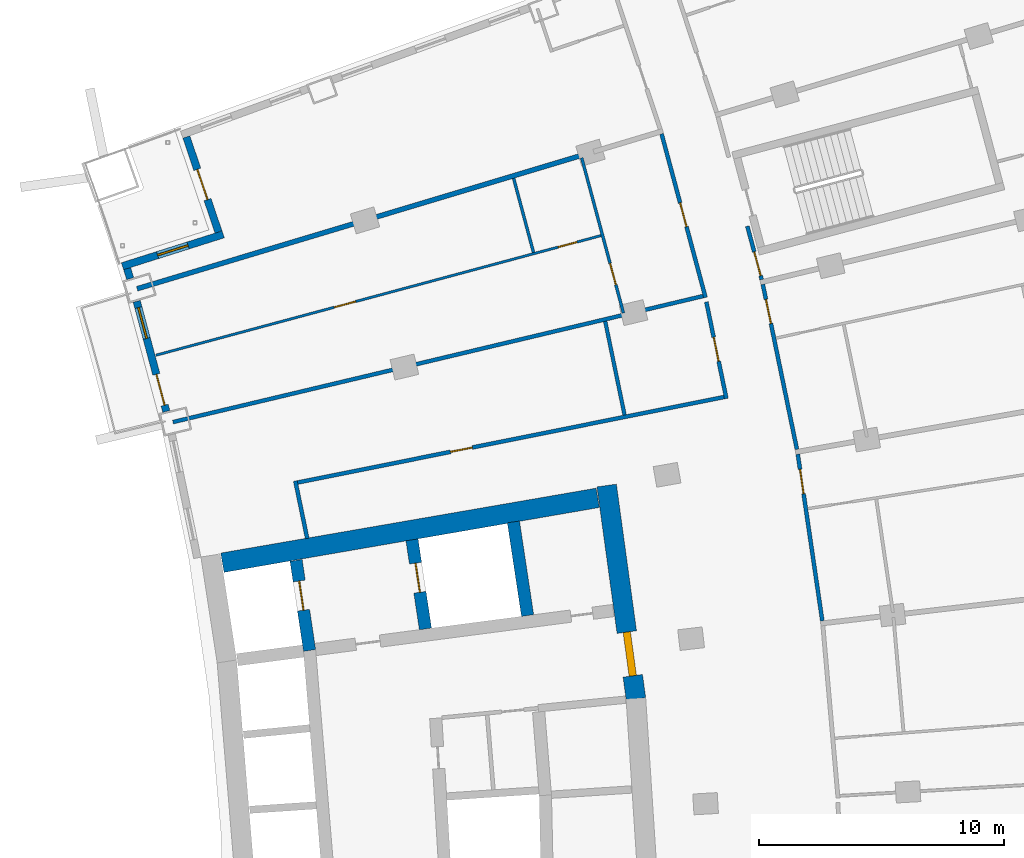
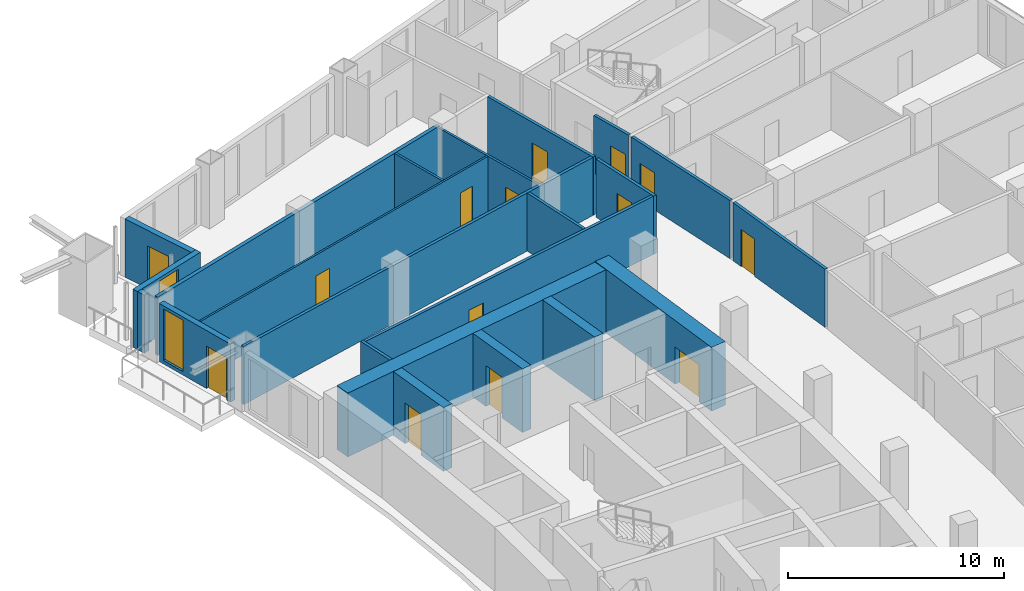
# One storey, part 19 of 25: 22 walls, 14 doors, 2 windows, 16 openings.
"""IFC4 building model written with IfcOpenShell, lengths in metres."""

from ifc_helpers import new_model, si_unit, direction, frame, frame_2d, origin, place, context, subcontext, project, spatial, rectangle, extrude, material, layer, layer_set, type_object, element, fill, save


model = new_model("IFC4")

# Units and contexts
model_context = context("Model", 3, precision=1e-05, world=origin(), true_north=direction((0.0, 1.0)))
body_context = subcontext(model_context, "Body", "Model", "MODEL_VIEW")
ifc_project = project(units=[si_unit("LENGTHUNIT", "METRE"), si_unit("AREAUNIT", "SQUARE_METRE"), si_unit("VOLUMEUNIT", "CUBIC_METRE"), si_unit("PLANEANGLEUNIT", "RADIAN"), si_unit("MASSUNIT", "GRAM", prefix="KILO")], contexts=[model_context])

# Site, building, storey
site_placement = place(None, origin())
site = spatial("IfcSite", under=ifc_project, at=site_placement, CompositionType="ELEMENT")
building_placement = place(site_placement, origin())
building = spatial("IfcBuilding", under=site, at=building_placement, Name="Alderwake Tower", CompositionType="ELEMENT")
storey_placement = place(building_placement, frame((0.0, 0.0, 122.0)))
storey = spatial("IfcBuildingStorey", under=building, at=storey_placement, Name="L30", CompositionType="ELEMENT", Elevation=122.0)

# Wall, opening, door
ifc_material_1 = material(Name="Concrete C70/85", Category="concrete")
ifc_layer_1 = layer(ifc_material_1, 0.800048828125)
ifc_layer_set_1 = layer_set([ifc_layer_1], Name="Core wall outer 800 C70-85")
wall_type_1 = type_object("IfcWallType", Name="Core wall outer 800 C70-85", PredefinedType="SHEAR", material=ifc_layer_set_1)
wall_1_placement = place(storey_placement, frame((31.569580078125, 80.7265625, 0.0), z_axis=(0.0, 0.0, 1.0), x_axis=(0.135838347444, -0.990731014637, 0.0)))
wall_1 = element("IfcWall", 1, at=wall_1_placement, inside=storey, type_object=wall_type_1, Name="Core wall CW.009", PredefinedType="SHEAR", context=body_context, shape_type="SweptSolid", body=[
    extrude(rectangle(XDim=8.788818359375, YDim=0.800048828125, at=frame_2d((4.39453125, 0.0))), origin(), (0.0, 0.0, 1.0), 3.60009765625),
])
opening_1_placement = place(wall_1_placement, frame((6.032958984375, 0.0, 0.0)))
opening_1 = element("IfcOpeningElement", 2, at=opening_1_placement, cuts=wall_1, Name="Opening C001", PredefinedType="OPENING", context=body_context, shape_type="SweptSolid", body=[
    extrude(rectangle(XDim=1.800048828125, YDim=2.10009765625, at=frame_2d((0.89990234375, 1.050048828125))), frame((0.0, 0.409912109375, 0.0), z_axis=(0.0, -1.0, 0.0), x_axis=(1.0, 0.0, 0.0)), (0.0, 0.0, 1.0), 0.820068359375),
])
ifc_material_2 = material(Name="Steel-framed fire door leaves", Category="steel")
door_type_1 = type_object("IfcDoorType", Name="Core double door 1800 fire-rated", OperationType="DOUBLE_DOOR_SINGLE_SWING", PredefinedType="DOOR", material=ifc_material_2)
door_1_placement = place(opening_1_placement, origin())
door_1 = element("IfcDoor", 3, at=door_1_placement, inside=storey, type_object=door_type_1, Name="Lobby double door", OperationType="DOUBLE_DOOR_SINGLE_SWING", OverallHeight=2.10009765625, OverallWidth=1.800048828125, PredefinedType="DOOR", context=body_context, shape_type="SweptSolid", body=[
    extrude(rectangle(XDim=1.800048828125, YDim=2.10009765625, at=frame_2d((0.89990234375, 1.050048828125))), frame((0.0, 0.14990234375, 0.0), z_axis=(0.0, -1.0, 0.0), x_axis=(1.0, 0.0, 0.0)), (0.0, 0.0, 1.0), 0.300048828125),
])
fill(opening_1, door_1)

# Wall
wall_2_placement = place(storey_placement, frame((15.900146484375, 77.577880859375, 0.0), z_axis=(0.0, 0.0, 1.0), x_axis=(0.985386601125, 0.170332751763, 0.0)))
element("IfcWall", 4, at=wall_2_placement, inside=storey, type_object=wall_type_1, Name="Core wall CW.054", PredefinedType="SHEAR", context=body_context, shape_type="SweptSolid", body=[
    extrude(rectangle(XDim=15.531494140625, YDim=0.800048828125, at=frame_2d((7.765625, 0.0))), origin(), (0.0, 0.0, 1.0), 3.60009765625),
])

# Wall, opening, door
ifc_material_3 = material(Name="Concrete C70/85", Category="concrete")
ifc_layer_2 = layer(ifc_material_3, 0.5)
ifc_layer_set_2 = layer_set([ifc_layer_2], Name="Core wall spine 500 C70-85")
wall_type_2 = type_object("IfcWallType", Name="Core wall spine 500 C70-85", PredefinedType="SHEAR", material=ifc_layer_set_2)
wall_3_placement = place(storey_placement, frame((19.4541015625, 73.9990234375, 0.0), z_axis=(0.0, 0.0, 1.0), x_axis=(-0.14792928808, 0.988997940204, 0.0)))
wall_3 = element("IfcWall", 5, at=wall_3_placement, inside=storey, type_object=wall_type_2, Name="Core wall CW.030", PredefinedType="SHEAR", context=body_context, shape_type="SweptSolid", body=[
    extrude(rectangle(XDim=3.716552734375, YDim=0.5, at=frame_2d((1.8583984375, 0.0))), origin(), (0.0, 0.0, 1.0), 3.60009765625),
])
opening_2_placement = place(wall_3_placement, frame((1.66259765625, 0.0, 0.0)))
opening_2 = element("IfcOpeningElement", 6, at=opening_2_placement, cuts=wall_3, Name="Opening LD-FF1", PredefinedType="OPENING", context=body_context, shape_type="SweptSolid", body=[
    extrude(rectangle(XDim=1.199951171875, YDim=2.300048828125, at=frame_2d((0.60009765625, 1.14990234375))), frame((0.0, 0.260009765625, 0.0), z_axis=(0.0, -1.0, 0.0), x_axis=(1.0, 0.0, 0.0)), (0.0, 0.0, 1.0), 0.52001953125),
])
ifc_material_4 = material(Name="Stainless steel sliding leaf", Category="steel")
door_type_2 = type_object("IfcDoorType", Name="Lift landing door 1200", OperationType="SLIDING_TO_LEFT", PredefinedType="DOOR", material=ifc_material_4)
door_2_placement = place(opening_2_placement, origin())
door_2 = element("IfcDoor", 7, at=door_2_placement, inside=storey, type_object=door_type_2, Name="Lift landing door FF1", OperationType="SLIDING_TO_LEFT", OverallHeight=2.300048828125, OverallWidth=1.199951171875, PredefinedType="DOOR", context=body_context, shape_type="SweptSolid", body=[
    extrude(rectangle(XDim=1.199951171875, YDim=2.300048828125, at=frame_2d((0.60009765625, 1.14990234375))), frame((0.0, 0.02490234375, 0.0), z_axis=(0.0, -1.0, 0.0), x_axis=(1.0, 0.0, 0.0)), (0.0, 0.0, 1.0), 0.050048828125),
])
fill(opening_2, door_2)

wall_4_placement = place(storey_placement, frame((24.1796875, 74.878173828125, 0.0), z_axis=(0.0, 0.0, 1.0), x_axis=(-0.149334835296, 0.988786684259, 0.0)))
wall_4 = element("IfcWall", 8, at=wall_4_placement, inside=storey, type_object=wall_type_2, Name="Core wall CW.044", PredefinedType="SHEAR", context=body_context, shape_type="SweptSolid", body=[
    extrude(rectangle(XDim=3.673583984375, YDim=0.5, at=frame_2d((1.8369140625, 0.0))), origin(), (0.0, 0.0, 1.0), 3.60009765625),
])
opening_3_placement = place(wall_4_placement, frame((1.51171875, 0.0, 0.0)))
opening_3 = element("IfcOpeningElement", 9, at=opening_3_placement, cuts=wall_4, Name="Opening LD-FF2", PredefinedType="OPENING", context=body_context, shape_type="SweptSolid", body=[
    extrude(rectangle(XDim=1.199951171875, YDim=2.300048828125, at=frame_2d((0.60009765625, 1.14990234375))), frame((0.0, 0.260009765625, 0.0), z_axis=(0.0, -1.0, 0.0), x_axis=(1.0, 0.0, 0.0)), (0.0, 0.0, 1.0), 0.52001953125),
])
door_3_placement = place(opening_3_placement, origin())
door_3 = element("IfcDoor", 10, at=door_3_placement, inside=storey, type_object=door_type_2, Name="Lift landing door FF2", OperationType="SLIDING_TO_LEFT", OverallHeight=2.300048828125, OverallWidth=1.199951171875, PredefinedType="DOOR", context=body_context, shape_type="SweptSolid", body=[
    extrude(rectangle(XDim=1.199951171875, YDim=2.300048828125, at=frame_2d((0.60009765625, 1.14990234375))), frame((0.0, 0.02490234375, 0.0), z_axis=(0.0, -1.0, 0.0), x_axis=(1.0, 0.0, 0.0)), (0.0, 0.0, 1.0), 0.050048828125),
])
fill(opening_3, door_3)

# Walls
wall_5_placement = place(storey_placement, frame((28.34423828125, 75.4228515625, 0.0), z_axis=(0.0, 0.0, 1.0), x_axis=(-0.14943460482, 0.988771611082, 0.0)))
element("IfcWall", 11, at=wall_5_placement, inside=storey, type_object=wall_type_2, Name="Core wall CW.001", PredefinedType="SHEAR", context=body_context, shape_type="SweptSolid", body=[
    extrude(rectangle(XDim=3.8623046875, YDim=0.5, at=frame_2d((1.93115234375, 0.0))), origin(), (0.0, 0.0, 1.0), 3.60009765625),
])
ifc_material_5 = material(Name="Gypsum board on metal studs, rated")
ifc_layer_3 = layer(ifc_material_5, 0.159912109375)
ifc_layer_set_3 = layer_set([ifc_layer_3], Name="Corridor wall 160")
wall_type_3 = type_object("IfcWallType", Name="Corridor wall 160", PredefinedType="PARTITIONING", material=ifc_layer_set_3)
wall_6_placement = place(storey_placement, frame((18.874755859375, 80.910400390625, 0.0), z_axis=(0.0, 0.0, 1.0), x_axis=(0.202312089075, -0.979321100873, 0.0)))
element("IfcWall", 12, at=wall_6_placement, inside=storey, type_object=wall_type_3, Name="WL/L30/W18", PredefinedType="PARTITIONING", context=body_context, shape_type="SweptSolid", body=[
    extrude(rectangle(XDim=2.39306640625, YDim=0.159912109375, at=frame_2d((1.196533203125, 0.0))), origin(), (0.0, 0.0, 1.0), 3.280029296875),
])

# Wall, opening, door
wall_7_placement = place(storey_placement, frame((35.600830078125, 88.392578125, 0.0), z_axis=(0.0, 0.0, 1.0), x_axis=(-0.2593979597, 0.965770520622, 0.0)))
wall_7 = element("IfcWall", 13, at=wall_7_placement, inside=storey, type_object=wall_type_3, Name="WL/L30/W22", PredefinedType="PARTITIONING", context=body_context, shape_type="SweptSolid", body=[
    extrude(rectangle(XDim=6.9072265625, YDim=0.159912109375, at=frame_2d((3.45361328125, 0.0))), origin(), (0.0, 0.0, 1.0), 3.280029296875),
])
opening_4_placement = place(wall_7_placement, frame((2.9931640625, 0.0, 0.0)))
opening_4 = element("IfcOpeningElement", 14, at=opening_4_placement, cuts=wall_7, Name="Opening R08-U13.1", PredefinedType="OPENING", context=body_context, shape_type="SweptSolid", body=[
    extrude(rectangle(XDim=1.0, YDim=2.10009765625, at=frame_2d((0.5, 1.050048828125))), frame((0.0, 0.08984375, 0.0), z_axis=(0.0, -1.0, 0.0), x_axis=(1.0, 0.0, 0.0)), (0.0, 0.0, 1.0), 0.179931640625),
])
ifc_material_6 = material(Name="Solid timber leaf in steel frame", Category="steel")
door_type_3 = type_object("IfcDoorType", Name="Flat entrance door 1000 fire-rated", OperationType="SINGLE_SWING_LEFT", PredefinedType="DOOR", material=ifc_material_6)
door_4_placement = place(opening_4_placement, origin())
door_4 = element("IfcDoor", 15, at=door_4_placement, inside=storey, type_object=door_type_3, Name="DR/L30/U13.1", OperationType="SINGLE_SWING_LEFT", OverallHeight=2.10009765625, OverallWidth=1.0, PredefinedType="DOOR", context=body_context, shape_type="SweptSolid", body=[
    extrude(rectangle(XDim=1.0, YDim=2.10009765625, at=frame_2d((0.5, 1.050048828125))), frame((0.0, 0.02490234375, 0.0), z_axis=(0.0, -1.0, 0.0), x_axis=(1.0, 0.0, 0.0)), (0.0, 0.0, 1.0), 0.050048828125),
])
fill(opening_4, door_4)

# Wall
wall_8_placement = place(storey_placement, frame((35.502197265625, 88.451416015625, 0.0), z_axis=(0.0, 0.0, 1.0), x_axis=(-0.972894913244, -0.231247676278, 0.0)))
element("IfcWall", 16, at=wall_8_placement, inside=storey, type_object=wall_type_3, Name="WL/L30/W25", PredefinedType="PARTITIONING", context=body_context, shape_type="SweptSolid", body=[
    extrude(rectangle(XDim=22.220458984375, YDim=0.159912109375, at=frame_2d((11.1103515625, 0.0))), origin(), (0.0, 0.0, 1.0), 3.280029296875),
])

# Wall, opening, door
wall_9_placement = place(storey_placement, frame((36.451416015625, 84.272705078125, 0.0), z_axis=(0.0, 0.0, 1.0), x_axis=(-0.203258199701, 0.979125172924, 0.0)))
wall_9 = element("IfcWall", 17, at=wall_9_placement, inside=storey, type_object=wall_type_3, Name="WL/L30/W26", PredefinedType="PARTITIONING", context=body_context, shape_type="SweptSolid", body=[
    extrude(rectangle(XDim=4.020263671875, YDim=0.159912109375, at=frame_2d((2.01025390625, 0.0))), origin(), (0.0, 0.0, 1.0), 3.280029296875),
])
opening_5_placement = place(wall_9_placement, frame((1.549560546875, 0.0, 0.0)))
opening_5 = element("IfcOpeningElement", 18, at=opening_5_placement, cuts=wall_9, Name="Opening R08-SBN2", PredefinedType="OPENING", context=body_context, shape_type="SweptSolid", body=[
    extrude(rectangle(XDim=1.0, YDim=2.10009765625, at=frame_2d((0.5, 1.050048828125))), frame((0.0, 0.08984375, 0.0), z_axis=(0.0, -1.0, 0.0), x_axis=(1.0, 0.0, 0.0)), (0.0, 0.0, 1.0), 0.179931640625),
])
ifc_material_7 = material(Name="Steel-framed fire door leaf", Category="steel")
door_type_4 = type_object("IfcDoorType", Name="Plant room door 1000 fire-rated", OperationType="SINGLE_SWING_LEFT", PredefinedType="DOOR", material=ifc_material_7)
door_5_placement = place(opening_5_placement, origin())
door_5 = element("IfcDoor", 19, at=door_5_placement, inside=storey, type_object=door_type_4, Name="DR/L30/SBN2", OperationType="SINGLE_SWING_LEFT", OverallHeight=2.10009765625, OverallWidth=1.0, PredefinedType="DOOR", context=body_context, shape_type="SweptSolid", body=[
    extrude(rectangle(XDim=1.0, YDim=2.10009765625, at=frame_2d((0.5, 1.050048828125))), frame((0.0, 0.02490234375, 0.0), z_axis=(0.0, -1.0, 0.0), x_axis=(1.0, 0.0, 0.0)), (0.0, 0.0, 1.0), 0.050048828125),
])
fill(opening_5, door_5)

wall_10_placement = place(storey_placement, frame((18.969482421875, 80.84765625, 0.0), z_axis=(0.0, 0.0, 1.0), x_axis=(0.980470914622, 0.196664144112, 0.0)))
wall_10 = element("IfcWall", 20, at=wall_10_placement, inside=storey, type_object=wall_type_3, Name="WL/L30/W30", PredefinedType="PARTITIONING", context=body_context, shape_type="SweptSolid", body=[
    extrude(rectangle(XDim=17.733642578125, YDim=0.159912109375, at=frame_2d((8.86669921875, 0.0))), origin(), (0.0, 0.0, 1.0), 3.280029296875),
])
opening_6_placement = place(wall_10_placement, frame((6.35693359375, 0.0, 0.0)))
opening_6 = element("IfcOpeningElement", 21, at=opening_6_placement, cuts=wall_10, Name="Opening R08-SBN1", PredefinedType="OPENING", context=body_context, shape_type="SweptSolid", body=[
    extrude(rectangle(XDim=0.89990234375, YDim=2.10009765625, at=frame_2d((0.449951171875, 1.050048828125))), frame((0.0, 0.08984375, 0.0), z_axis=(0.0, -1.0, 0.0), x_axis=(1.0, 0.0, 0.0)), (0.0, 0.0, 1.0), 0.179931640625),
])
ifc_material_8 = material(Name="Painted timber leaf", Category="wood")
door_type_5 = type_object("IfcDoorType", Name="Room door 900", OperationType="SINGLE_SWING_LEFT", PredefinedType="DOOR", material=ifc_material_8)
door_6_placement = place(opening_6_placement, origin())
door_6 = element("IfcDoor", 22, at=door_6_placement, inside=storey, type_object=door_type_5, Name="DR/L30/SBN1", OperationType="SINGLE_SWING_LEFT", OverallHeight=2.10009765625, OverallWidth=0.89990234375, PredefinedType="DOOR", context=body_context, shape_type="SweptSolid", body=[
    extrude(rectangle(XDim=0.89990234375, YDim=2.10009765625, at=frame_2d((0.449951171875, 1.050048828125))), frame((0.0, 0.02490234375, 0.0), z_axis=(0.0, -1.0, 0.0), x_axis=(1.0, 0.0, 0.0)), (0.0, 0.0, 1.0), 0.050048828125),
])
fill(opening_6, door_6)

wall_11_placement = place(storey_placement, frame((37.304931640625, 91.299072265625, 0.0), z_axis=(0.0, 0.0, 1.0), x_axis=(0.259946294884, -0.965623075416, 0.0)))
wall_11 = element("IfcWall", 23, at=wall_11_placement, inside=storey, type_object=wall_type_3, Name="WL/L30/W34", PredefinedType="PARTITIONING", context=body_context, shape_type="SweptSolid", body=[
    extrude(rectangle(XDim=2.255126953125, YDim=0.159912109375, at=frame_2d((1.12744140625, 0.0))), origin(), (0.0, 0.0, 1.0), 3.280029296875),
])
opening_7_placement = place(wall_11_placement, frame((1.083984375, 0.0, 0.0)))
opening_7 = element("IfcOpeningElement", 24, at=opening_7_placement, cuts=wall_11, Name="Opening R08-U02.1", PredefinedType="OPENING", context=body_context, shape_type="SweptSolid", body=[
    extrude(rectangle(XDim=1.0, YDim=2.10009765625, at=frame_2d((0.5, 1.050048828125))), frame((0.0, 0.08984375, 0.0), z_axis=(0.0, -1.0, 0.0), x_axis=(1.0, 0.0, 0.0)), (0.0, 0.0, 1.0), 0.179931640625),
])
door_7_placement = place(opening_7_placement, origin())
door_7 = element("IfcDoor", 25, at=door_7_placement, inside=storey, type_object=door_type_3, Name="DR/L30/U02.1", OperationType="SINGLE_SWING_LEFT", OverallHeight=2.10009765625, OverallWidth=1.0, PredefinedType="DOOR", context=body_context, shape_type="SweptSolid", body=[
    extrude(rectangle(XDim=1.0, YDim=2.10009765625, at=frame_2d((0.5, 1.050048828125))), frame((0.0, 0.02490234375, 0.0), z_axis=(0.0, -1.0, 0.0), x_axis=(1.0, 0.0, 0.0)), (0.0, 0.0, 1.0), 0.050048828125),
])
fill(opening_7, door_7)

wall_12_placement = place(storey_placement, frame((37.937255859375, 88.927001953125, 0.0), z_axis=(0.0, 0.0, 1.0), x_axis=(0.20241288737, -0.979300272147, 0.0)))
wall_12 = element("IfcWall", 26, at=wall_12_placement, inside=storey, type_object=wall_type_3, Name="WL/L30/W36", PredefinedType="PARTITIONING", context=body_context, shape_type="SweptSolid", body=[
    extrude(rectangle(XDim=6.870361328125, YDim=0.159912109375, at=frame_2d((3.43505859375, 0.0))), origin(), (0.0, 0.0, 1.0), 3.280029296875),
])
opening_8_placement = place(wall_12_placement, frame((0.62841796875, 0.0, 0.0)))
opening_8 = element("IfcOpeningElement", 27, at=opening_8_placement, cuts=wall_12, Name="Opening R08-U10.2", PredefinedType="OPENING", context=body_context, shape_type="SweptSolid", body=[
    extrude(rectangle(XDim=1.0, YDim=2.10009765625, at=frame_2d((0.5, 1.050048828125))), frame((0.0, 0.08984375, 0.0), z_axis=(0.0, -1.0, 0.0), x_axis=(1.0, 0.0, 0.0)), (0.0, 0.0, 1.0), 0.179931640625),
])
door_8_placement = place(opening_8_placement, origin())
door_8 = element("IfcDoor", 28, at=door_8_placement, inside=storey, type_object=door_type_3, Name="DR/L30/U10.2", OperationType="SINGLE_SWING_LEFT", OverallHeight=2.10009765625, OverallWidth=1.0, PredefinedType="DOOR", context=body_context, shape_type="SweptSolid", body=[
    extrude(rectangle(XDim=1.0, YDim=2.10009765625, at=frame_2d((0.5, 1.050048828125))), frame((0.0, 0.02490234375, 0.0), z_axis=(0.0, -1.0, 0.0), x_axis=(1.0, 0.0, 0.0)), (0.0, 0.0, 1.0), 0.050048828125),
])
fill(opening_8, door_8)

wall_13_placement = place(storey_placement, frame((39.362548828125, 82.001953125, 0.0), z_axis=(0.0, 0.0, 1.0), x_axis=(0.145565626222, -0.98934859805, 0.0)))
wall_13 = element("IfcWall", 29, at=wall_13_placement, inside=storey, type_object=wall_type_3, Name="WL/L30/W38", PredefinedType="PARTITIONING", context=body_context, shape_type="SweptSolid", body=[
    extrude(rectangle(XDim=6.8681640625, YDim=0.159912109375, at=frame_2d((3.43408203125, 0.0))), origin(), (0.0, 0.0, 1.0), 3.280029296875),
])
opening_9_placement = place(wall_13_placement, frame((0.627685546875, 0.0, 0.0)))
opening_9 = element("IfcOpeningElement", 30, at=opening_9_placement, cuts=wall_13, Name="Opening R08-U09.2", PredefinedType="OPENING", context=body_context, shape_type="SweptSolid", body=[
    extrude(rectangle(XDim=1.0, YDim=2.10009765625, at=frame_2d((0.5, 1.050048828125))), frame((0.0, 0.08984375, 0.0), z_axis=(0.0, -1.0, 0.0), x_axis=(1.0, 0.0, 0.0)), (0.0, 0.0, 1.0), 0.179931640625),
])
door_9_placement = place(opening_9_placement, origin())
door_9 = element("IfcDoor", 31, at=door_9_placement, inside=storey, type_object=door_type_3, Name="DR/L30/U09.2", OperationType="SINGLE_SWING_LEFT", OverallHeight=2.10009765625, OverallWidth=1.0, PredefinedType="DOOR", context=body_context, shape_type="SweptSolid", body=[
    extrude(rectangle(XDim=1.0, YDim=2.10009765625, at=frame_2d((0.5, 1.050048828125))), frame((0.0, 0.02490234375, 0.0), z_axis=(0.0, -1.0, 0.0), x_axis=(1.0, 0.0, 0.0)), (0.0, 0.0, 1.0), 0.050048828125),
])
fill(opening_9, door_9)

# Wall
ifc_material_9 = material(Name="Precast concrete C50/60 spandrel panel", Category="concrete")
ifc_layer_4 = layer(ifc_material_9, 0.300048828125)
ifc_layer_set_4 = layer_set([ifc_layer_4], Name="External wall EW1 Precast concrete C50/60 spandrel")
wall_type_4 = type_object("IfcWallType", Name="External wall EW1 Precast concrete C50/60 spandrel", PredefinedType="SOLIDWALL", material=ifc_layer_set_4)
wall_14_placement = place(storey_placement, frame((12.01416015625, 89.5703125, 0.0), z_axis=(0.0, 0.0, 1.0), x_axis=(0.294567190983, -0.955630770746, 0.0)))
element("IfcWall", 32, at=wall_14_placement, inside=storey, type_object=wall_type_4, Name="External wall 32", PredefinedType="SOLIDWALL", context=body_context, shape_type="SweptSolid", body=[
    extrude(rectangle(XDim=0.427734375, YDim=0.300048828125, at=frame_2d((0.2138671875, 0.0))), origin(), (0.0, 0.0, 1.0), 3.280029296875),
])

# Wall, openings, door, window
wall_15_placement = place(storey_placement, frame((12.406494140625, 88.237548828125, 0.0), z_axis=(0.0, 0.0, 1.0), x_axis=(0.259468933642, -0.965751454814, 0.0)))
wall_15 = element("IfcWall", 33, at=wall_15_placement, inside=storey, type_object=wall_type_4, Name="External wall 33", PredefinedType="SOLIDWALL", context=body_context, shape_type="SweptSolid", body=[
    extrude(rectangle(XDim=4.65087890625, YDim=0.300048828125, at=frame_2d((2.325439453125, 0.0))), origin(), (0.0, 0.0, 1.0), 3.280029296875),
])
opening_10_placement = place(wall_15_placement, frame((0.26708984375, 0.0, 0.199951171875)))
opening_10 = element("IfcOpeningElement", 34, at=opening_10_placement, cuts=wall_15, Name="Opening W1", PredefinedType="OPENING", context=body_context, shape_type="SweptSolid", body=[
    extrude(rectangle(XDim=1.300048828125, YDim=2.89990234375, at=frame_2d((0.64990234375, 1.449951171875))), frame((0.0, 0.159912109375, 0.0), z_axis=(0.0, -1.0, 0.0), x_axis=(1.0, 0.0, 0.0)), (0.0, 0.0, 1.0), 0.320068359375),
])
opening_11_placement = place(wall_15_placement, frame((3.083984375, 0.0, 0.0)))
opening_11 = element("IfcOpeningElement", 35, at=opening_11_placement, cuts=wall_15, Name="Opening D15", PredefinedType="OPENING", context=body_context, shape_type="SweptSolid", body=[
    extrude(rectangle(XDim=1.300048828125, YDim=2.39990234375, at=frame_2d((0.64990234375, 1.199951171875))), frame((0.0, 0.159912109375, 0.0), z_axis=(0.0, -1.0, 0.0), x_axis=(1.0, 0.0, 0.0)), (0.0, 0.0, 1.0), 0.320068359375),
])
ifc_material_10 = material(Name="Bronze tinted glass in aluminium frame", Category="aluminium")
door_type_6 = type_object("IfcDoorType", Name="Balcony door BD sliding", OperationType="SLIDING_TO_LEFT", PredefinedType="DOOR", material=ifc_material_10)
door_10_placement = place(opening_11_placement, origin())
door_10 = element("IfcDoor", 36, at=door_10_placement, inside=storey, type_object=door_type_6, Name="Door D15", OperationType="SLIDING_TO_LEFT", OverallHeight=2.39990234375, OverallWidth=1.300048828125, PredefinedType="DOOR", context=body_context, shape_type="SweptSolid", body=[
    extrude(rectangle(XDim=1.300048828125, YDim=2.39990234375, at=frame_2d((0.64990234375, 1.199951171875))), frame((0.0, 0.02490234375, 0.0), z_axis=(0.0, -1.0, 0.0), x_axis=(1.0, 0.0, 0.0)), (0.0, 0.0, 1.0), 0.050048828125),
])
fill(opening_11, door_10)
ifc_material_11 = material(Name="Bronze tinted glass in aluminium frame", Category="aluminium")
window_type = type_object("IfcWindowType", Name="Window W1 tall fixed and vent", PartitioningType="DOUBLE_PANEL_VERTICAL", PredefinedType="WINDOW", material=ifc_material_11)
window_1_placement = place(opening_10_placement, origin())
window_1 = element("IfcWindow", 37, at=window_1_placement, inside=storey, type_object=window_type, Name="Window W1 tall fixed and vent", OverallHeight=2.89990234375, OverallWidth=1.300048828125, PartitioningType="DOUBLE_PANEL_VERTICAL", PredefinedType="WINDOW", context=body_context, shape_type="SweptSolid", body=[
    extrude(rectangle(XDim=1.300048828125, YDim=2.89990234375, at=frame_2d((0.64990234375, 1.449951171875))), frame((0.0, 0.030029296875, 0.0), z_axis=(0.0, -1.0, 0.0), x_axis=(1.0, 0.0, 0.0)), (0.0, 0.0, 1.0), 0.06005859375),
])
fill(opening_10, window_1)

# Wall, opening, door
ifc_material_12 = material(Name="Bronze metal cladding on lightweight framing")
ifc_layer_5 = layer(ifc_material_12, 0.300048828125)
ifc_layer_set_5 = layer_set([ifc_layer_5], Name="External wall EW2 bronze metal cladding")
wall_type_5 = type_object("IfcWallType", Name="External wall EW2 bronze metal cladding", PredefinedType="SOLIDWALL", material=ifc_layer_set_5)
wall_16_placement = place(storey_placement, frame((14.430908203125, 94.937744140625, 0.0), z_axis=(0.0, 0.0, 1.0), x_axis=(0.320379458656, -0.947289291859, 0.0)))
wall_16 = element("IfcWall", 38, at=wall_16_placement, inside=storey, type_object=wall_type_5, Name="External wall 30", PredefinedType="SOLIDWALL", context=body_context, shape_type="SweptSolid", body=[
    extrude(rectangle(XDim=4.08984375, YDim=0.300048828125, at=frame_2d((2.044921875, 0.0))), origin(), (0.0, 0.0, 1.0), 3.280029296875),
])
opening_12_placement = place(wall_16_placement, frame((1.39501953125, 0.0, 0.0)))
opening_12 = element("IfcOpeningElement", 39, at=opening_12_placement, cuts=wall_16, Name="Opening D14", PredefinedType="OPENING", context=body_context, shape_type="SweptSolid", body=[
    extrude(rectangle(XDim=1.300048828125, YDim=2.39990234375, at=frame_2d((0.64990234375, 1.199951171875))), frame((0.0, 0.159912109375, 0.0), z_axis=(0.0, -1.0, 0.0), x_axis=(1.0, 0.0, 0.0)), (0.0, 0.0, 1.0), 0.320068359375),
])
door_11_placement = place(opening_12_placement, origin())
door_11 = element("IfcDoor", 40, at=door_11_placement, inside=storey, type_object=door_type_6, Name="Door D14", OperationType="SLIDING_TO_LEFT", OverallHeight=2.39990234375, OverallWidth=1.300048828125, PredefinedType="DOOR", context=body_context, shape_type="SweptSolid", body=[
    extrude(rectangle(XDim=1.300048828125, YDim=2.39990234375, at=frame_2d((0.64990234375, 1.199951171875))), frame((0.0, 0.02490234375, 0.0), z_axis=(0.0, -1.0, 0.0), x_axis=(1.0, 0.0, 0.0)), (0.0, 0.0, 1.0), 0.050048828125),
])
fill(opening_12, door_11)

# Wall, opening, window
wall_17_placement = place(storey_placement, frame((15.932373046875, 90.966552734375, 0.0), z_axis=(0.0, 0.0, 1.0), x_axis=(-0.953473772386, -0.301475978103, 0.0)))
wall_17 = element("IfcWall", 41, at=wall_17_placement, inside=storey, type_object=wall_type_5, Name="External wall 31", PredefinedType="SOLIDWALL", context=body_context, shape_type="SweptSolid", body=[
    extrude(rectangle(XDim=4.305908203125, YDim=0.300048828125, at=frame_2d((2.15283203125, 0.0))), origin(), (0.0, 0.0, 1.0), 3.280029296875),
])
opening_13_placement = place(wall_17_placement, frame((1.5029296875, 0.0, 0.199951171875)))
opening_13 = element("IfcOpeningElement", 42, at=opening_13_placement, cuts=wall_17, Name="Opening W1", PredefinedType="OPENING", context=body_context, shape_type="SweptSolid", body=[
    extrude(rectangle(XDim=1.300048828125, YDim=2.89990234375, at=frame_2d((0.64990234375, 1.449951171875))), frame((0.0, 0.159912109375, 0.0), z_axis=(0.0, -1.0, 0.0), x_axis=(1.0, 0.0, 0.0)), (0.0, 0.0, 1.0), 0.320068359375),
])
window_2_placement = place(opening_13_placement, origin())
window_2 = element("IfcWindow", 43, at=window_2_placement, inside=storey, type_object=window_type, Name="Window W1 tall fixed and vent", OverallHeight=2.89990234375, OverallWidth=1.300048828125, PartitioningType="DOUBLE_PANEL_VERTICAL", PredefinedType="WINDOW", context=body_context, shape_type="SweptSolid", body=[
    extrude(rectangle(XDim=1.300048828125, YDim=2.89990234375, at=frame_2d((0.64990234375, 1.449951171875))), frame((0.0, 0.030029296875, 0.0), z_axis=(0.0, -1.0, 0.0), x_axis=(1.0, 0.0, 0.0)), (0.0, 0.0, 1.0), 0.06005859375),
])
fill(opening_13, window_2)

# Walls
ifc_material_13 = material(Name="Dense block masonry wall", Category="masonry")
ifc_layer_6 = layer(ifc_material_13, 0.199951171875)
ifc_layer_set_6 = layer_set([ifc_layer_6], Name="Party wall 200")
wall_type_6 = type_object("IfcWallType", Name="Party wall 200", PredefinedType="SOLIDWALL", material=ifc_layer_set_6)
wall_18_placement = place(storey_placement, frame((12.423095703125, 88.7490234375, 0.0), z_axis=(0.0, 0.0, 1.0), x_axis=(0.957792326985, 0.287461055394, 0.0)))
element("IfcWall", 44, at=wall_18_placement, inside=storey, type_object=wall_type_6, Name="WL/L30/W01", PredefinedType="SOLIDWALL", context=body_context, shape_type="SweptSolid", body=[
    extrude(rectangle(XDim=18.999755859375, YDim=0.199951171875, at=frame_2d((9.5, 0.0))), origin(), (0.0, 0.0, 1.0), 3.280029296875),
])
ifc_material_14 = material(Name="Gypsum shaft wall system, rated")
ifc_layer_7 = layer(ifc_material_14, 0.14990234375)
ifc_layer_set_7 = layer_set([ifc_layer_7], Name="Riser and shaft wall 150")
wall_type_7 = type_object("IfcWallType", Name="Riser and shaft wall 150", PredefinedType="PARTITIONING", material=ifc_layer_set_7)
wall_19_placement = place(storey_placement, frame((32.2998046875, 83.601318359375, 0.0), z_axis=(0.0, 0.0, 1.0), x_axis=(-0.202493797034, 0.979283545334, 0.0)))
element("IfcWall", 45, at=wall_19_placement, inside=storey, type_object=wall_type_7, Name="WL/L30/W15", PredefinedType="PARTITIONING", context=body_context, shape_type="SweptSolid", body=[
    extrude(rectangle(XDim=3.899169921875, YDim=0.14990234375, at=frame_2d((1.94970703125, 0.0))), origin(), (0.0, 0.0, 1.0), 3.280029296875),
])

# Wall, openings, doors
ifc_material_15 = material(Name="Gypsum board on metal studs")
ifc_layer_8 = layer(ifc_material_15, 0.10009765625)
ifc_layer_set_8 = layer_set([ifc_layer_8], Name="Unit partition 100")
wall_type_8 = type_object("IfcWallType", Name="Unit partition 100", PredefinedType="PARTITIONING", material=ifc_layer_set_8)
wall_20_placement = place(storey_placement, frame((13.194091796875, 86.0400390625, 0.0), z_axis=(0.0, 0.0, 1.0), x_axis=(0.965722811098, 0.259575522968, 0.0)))
wall_20 = element("IfcWall", 46, at=wall_20_placement, inside=storey, type_object=wall_type_8, Name="WL/L30/W66", PredefinedType="PARTITIONING", context=body_context, shape_type="SweptSolid", body=[
    extrude(rectangle(XDim=18.7900390625, YDim=0.10009765625, at=frame_2d((9.39501953125, 0.0))), origin(), (0.0, 0.0, 1.0), 3.280029296875),
])
opening_14_placement = place(wall_20_placement, frame((16.971435546875, 0.0, 0.0)))
opening_14 = element("IfcOpeningElement", 47, at=opening_14_placement, cuts=wall_20, Name="Opening R08-U13.3", PredefinedType="OPENING", context=body_context, shape_type="SweptSolid", body=[
    extrude(rectangle(XDim=0.800048828125, YDim=2.10009765625, at=frame_2d((0.39990234375, 1.050048828125))), frame((0.0, 0.06005859375, 0.0), z_axis=(0.0, -1.0, 0.0), x_axis=(1.0, 0.0, 0.0)), (0.0, 0.0, 1.0), 0.1201171875),
])
opening_15_placement = place(wall_20_placement, frame((7.526611328125, 0.0, 0.0)))
opening_15 = element("IfcOpeningElement", 48, at=opening_15_placement, cuts=wall_20, Name="Opening R08-U13.4", PredefinedType="OPENING", context=body_context, shape_type="SweptSolid", body=[
    extrude(rectangle(XDim=0.89990234375, YDim=2.10009765625, at=frame_2d((0.449951171875, 1.050048828125))), frame((0.0, 0.06005859375, 0.0), z_axis=(0.0, -1.0, 0.0), x_axis=(1.0, 0.0, 0.0)), (0.0, 0.0, 1.0), 0.1201171875),
])
ifc_material_16 = material(Name="Painted timber leaf", Category="wood")
door_type_7 = type_object("IfcDoorType", Name="Bathroom door 800", OperationType="SINGLE_SWING_LEFT", PredefinedType="DOOR", material=ifc_material_16)
door_12_placement = place(opening_14_placement, origin())
door_12 = element("IfcDoor", 49, at=door_12_placement, inside=storey, type_object=door_type_7, Name="DR/L30/U13.3", OperationType="SINGLE_SWING_LEFT", OverallHeight=2.10009765625, OverallWidth=0.800048828125, PredefinedType="DOOR", context=body_context, shape_type="SweptSolid", body=[
    extrude(rectangle(XDim=0.800048828125, YDim=2.10009765625, at=frame_2d((0.39990234375, 1.050048828125))), frame((0.0, 0.02490234375, 0.0), z_axis=(0.0, -1.0, 0.0), x_axis=(1.0, 0.0, 0.0)), (0.0, 0.0, 1.0), 0.050048828125),
])
fill(opening_14, door_12)
door_13_placement = place(opening_15_placement, origin())
door_13 = element("IfcDoor", 50, at=door_13_placement, inside=storey, type_object=door_type_5, Name="DR/L30/U13.4", OperationType="SINGLE_SWING_LEFT", OverallHeight=2.10009765625, OverallWidth=0.89990234375, PredefinedType="DOOR", context=body_context, shape_type="SweptSolid", body=[
    extrude(rectangle(XDim=0.89990234375, YDim=2.10009765625, at=frame_2d((0.449951171875, 1.050048828125))), frame((0.0, 0.02490234375, 0.0), z_axis=(0.0, -1.0, 0.0), x_axis=(1.0, 0.0, 0.0)), (0.0, 0.0, 1.0), 0.050048828125),
])
fill(opening_15, door_13)

# Wall
ifc_material_17 = material(Name="Moisture resistant gypsum board on metal studs")
ifc_layer_9 = layer(ifc_material_17, 0.1201171875)
ifc_layer_set_9 = layer_set([ifc_layer_9], Name="Wet room partition 120")
wall_type_9 = type_object("IfcWallType", Name="Wet room partition 120", PredefinedType="PARTITIONING", material=ifc_layer_set_9)
wall_21_placement = place(storey_placement, frame((27.77587890625, 93.25146484375, 0.0), z_axis=(0.0, 0.0, 1.0), x_axis=(0.258890741102, -0.965906612552, 0.0)))
element("IfcWall", 51, at=wall_21_placement, inside=storey, type_object=wall_type_9, Name="WL/L30/W42", PredefinedType="PARTITIONING", context=body_context, shape_type="SweptSolid", body=[
    extrude(rectangle(XDim=3.1298828125, YDim=0.1201171875, at=frame_2d((1.56494140625, 0.0))), origin(), (0.0, 0.0, 1.0), 3.280029296875),
])

# Wall, opening, door
wall_22_placement = place(storey_placement, frame((32.253173828125, 87.76123046875, 0.0), z_axis=(0.0, 0.0, 1.0), x_axis=(-0.259898609198, 0.965635911168, 0.0)))
wall_22 = element("IfcWall", 52, at=wall_22_placement, inside=storey, type_object=wall_type_9, Name="WL/L30/W46", PredefinedType="PARTITIONING", context=body_context, shape_type="SweptSolid", body=[
    extrude(rectangle(XDim=6.54931640625, YDim=0.1201171875, at=frame_2d((3.274658203125, 0.0))), origin(), (0.0, 0.0, 1.0), 3.280029296875),
])
opening_16_placement = place(wall_22_placement, frame((1.1923828125, 0.0, 0.0)))
opening_16 = element("IfcOpeningElement", 53, at=opening_16_placement, cuts=wall_22, Name="Opening R08-U13.2", PredefinedType="OPENING", context=body_context, shape_type="SweptSolid", body=[
    extrude(rectangle(XDim=0.89990234375, YDim=2.10009765625, at=frame_2d((0.449951171875, 1.050048828125))), frame((0.0, 0.070068359375, 0.0), z_axis=(0.0, -1.0, 0.0), x_axis=(1.0, 0.0, 0.0)), (0.0, 0.0, 1.0), 0.14013671875),
])
door_14_placement = place(opening_16_placement, origin())
door_14 = element("IfcDoor", 54, at=door_14_placement, inside=storey, type_object=door_type_5, Name="DR/L30/U13.2", OperationType="SINGLE_SWING_LEFT", OverallHeight=2.10009765625, OverallWidth=0.89990234375, PredefinedType="DOOR", context=body_context, shape_type="SweptSolid", body=[
    extrude(rectangle(XDim=0.89990234375, YDim=2.10009765625, at=frame_2d((0.449951171875, 1.050048828125))), frame((0.0, 0.02490234375, 0.0), z_axis=(0.0, -1.0, 0.0), x_axis=(1.0, 0.0, 0.0)), (0.0, 0.0, 1.0), 0.050048828125),
])
fill(opening_16, door_14)

save(model, "model.ifc")
